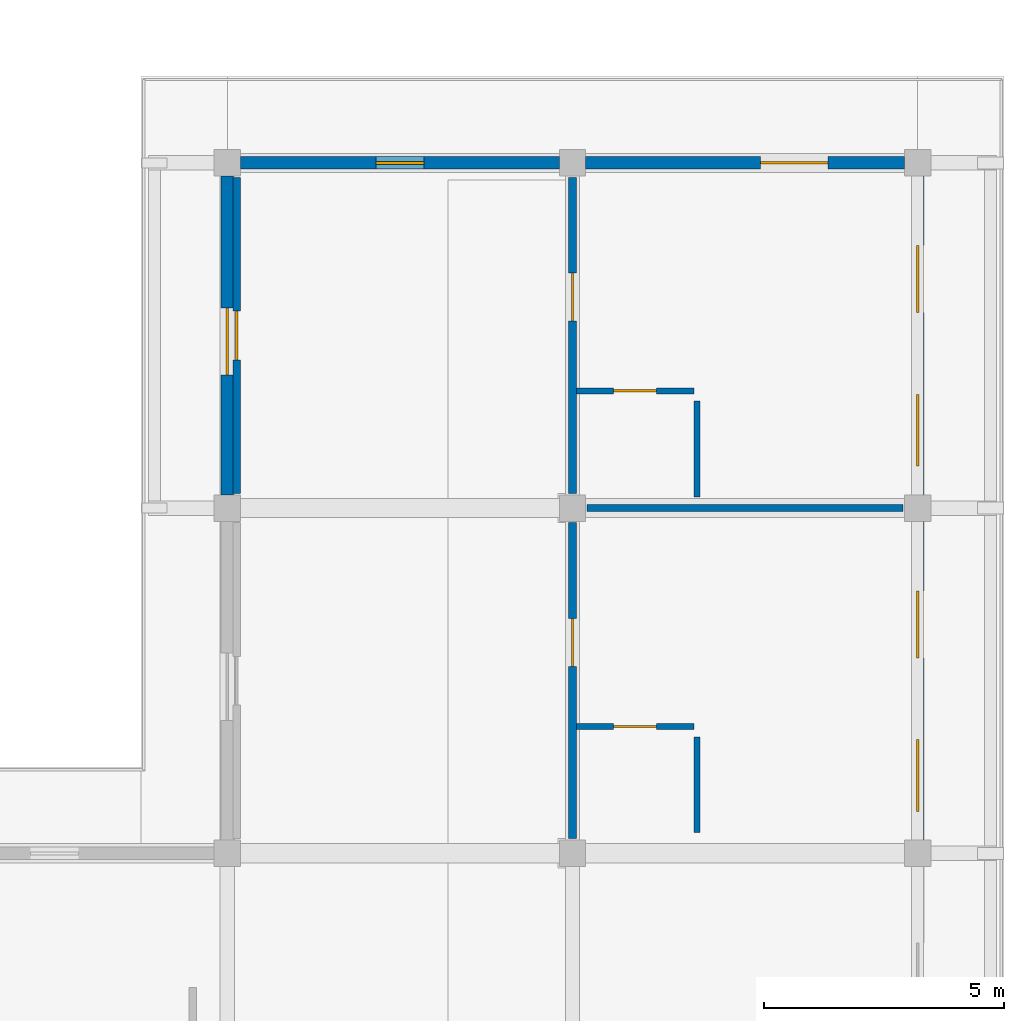
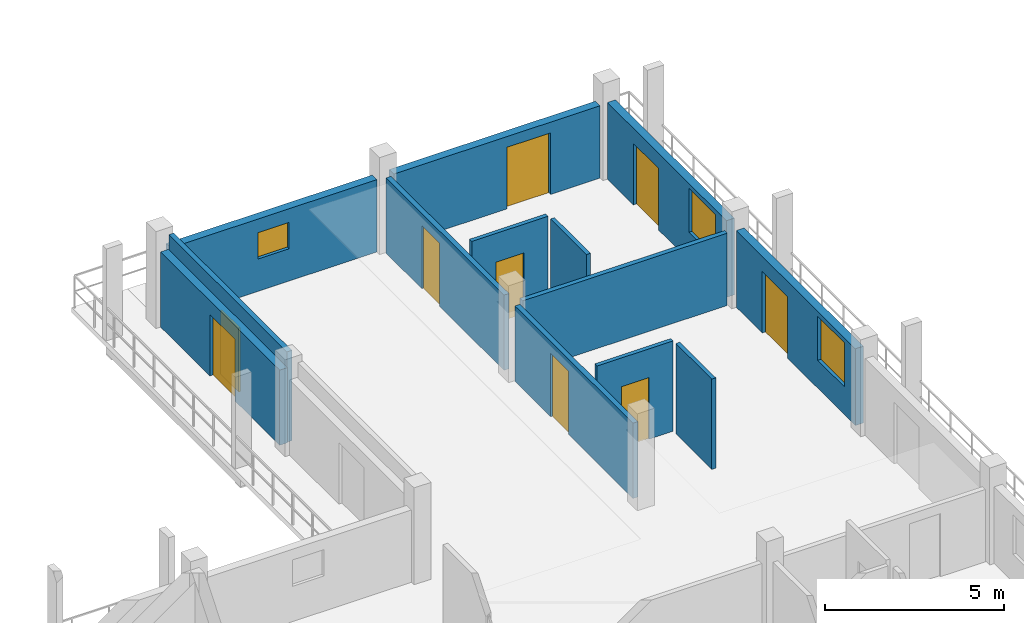
# One storey, part 43 of 60: 13 walls, 9 doors, 3 windows, 12 openings.
"""IFC4 building model written with IfcOpenShell, lengths in metres."""

from ifc_helpers import new_model, si_unit, direction, frame, frame_2d, origin, place, context, subcontext, project, spatial, rectangle, extrude, material, layer, layer_set, type_object, element, fill, save


model = new_model("IFC4")

# Units and contexts
model_context = context("Model", 3, precision=1e-05, world=origin(), true_north=direction((0.0, 1.0)))
body_context = subcontext(model_context, "Body", "Model", "MODEL_VIEW")
ifc_project = project(units=[si_unit("LENGTHUNIT", "METRE"), si_unit("AREAUNIT", "SQUARE_METRE"), si_unit("VOLUMEUNIT", "CUBIC_METRE"), si_unit("PLANEANGLEUNIT", "RADIAN"), si_unit("MASSUNIT", "GRAM", prefix="KILO")], contexts=[model_context])

# Site, building, storey
site_placement = place(None, origin())
site = spatial("IfcSite", under=ifc_project, at=site_placement, CompositionType="ELEMENT")
building_placement = place(site_placement, origin())
building = spatial("IfcBuilding", under=site, at=building_placement, Name="Suanplinth Sawtooth Commons", CompositionType="ELEMENT")
storey_placement = place(building_placement, frame((0.0, 0.0, 31.5)))
storey = spatial("IfcBuildingStorey", under=building, at=storey_placement, Name="L09", CompositionType="ELEMENT", Elevation=31.5)

# Wall, opening, window
ifc_material_1 = material(Name="Precast concrete C40/50", Category="concrete")
ifc_layer_1 = layer(ifc_material_1, 0.260009765625, Name="Insulated precast courtyard facade wall 260mm")
ifc_layer_set_1 = layer_set([ifc_layer_1], Name="Precast concrete C40/50")
wall_type_1 = type_object("IfcWallType", Name="W-EX02", PredefinedType="ELEMENTEDWALL", material=ifc_layer_set_1)
wall_1_placement = place(storey_placement, frame((173.074951171875, 28.800048828125, 0.0), z_axis=(0.0, 0.0, 1.0), x_axis=(1.0, 0.0, 0.0)))
wall_1 = element("IfcWall", 1, at=wall_1_placement, inside=storey, type_object=wall_type_1, Name="Facade Wall W-L09-C-N-24-3", PredefinedType="ELEMENTEDWALL", context=body_context, shape_type="SweptSolid", body=[
    extrude(rectangle(XDim=6.650146484375, YDim=0.260009765625, at=frame_2d((3.3251953125, 0.0))), origin(), (0.0, 0.0, 1.0), 2.465087890625),
])
opening_1_placement = place(wall_1_placement, frame((2.824951171875, 0.0, 1.10009765625)))
opening_1 = element("IfcOpeningElement", 2, at=opening_1_placement, cuts=wall_1, Name="Opening W0812", PredefinedType="OPENING", context=body_context, shape_type="SweptSolid", body=[
    extrude(rectangle(XDim=1.0, YDim=0.89990234375, at=frame_2d((0.5, 0.449951171875))), frame((0.0, 0.14501953125, 0.0), z_axis=(0.0, -1.0, 0.0), x_axis=(1.0, 0.0, 0.0)), (0.0, 0.0, 1.0), 0.289794921875),
])
ifc_material_2 = material(Name="Thermally broken aluminium and low-E double glazing", Category="aluminium")
window_type_1 = type_object("IfcWindowType", Name="WN-12", PartitioningType="SINGLE_PANEL", PredefinedType="WINDOW", material=ifc_material_2)
window_1_placement = place(opening_1_placement, origin())
window_1 = element("IfcWindow", 3, at=window_1_placement, inside=storey, type_object=window_type_1, Name="End Window L09-C-N-24-3", OverallHeight=0.89990234375, OverallWidth=1.0, PartitioningType="SINGLE_PANEL", PredefinedType="WINDOW", context=body_context, shape_type="SweptSolid", body=[
    extrude(rectangle(XDim=1.0, YDim=0.89990234375, at=frame_2d((0.5, 0.449951171875))), frame((0.0, 0.030029296875, 0.0), z_axis=(0.0, -1.0, 0.0), x_axis=(1.0, 0.0, 0.0)), (0.0, 0.0, 1.0), 0.06005859375),
])
fill(opening_1, window_1)

# Wall, opening, door
wall_2_placement = place(storey_placement, frame((172.800048828125, 21.875, 0.0), z_axis=(0.0, 0.0, 1.0), x_axis=(0.0, 1.0, 0.0)))
wall_2 = element("IfcWall", 4, at=wall_2_placement, inside=storey, type_object=wall_type_1, Name="Facade Wall W-L09-C-W-24-3", PredefinedType="ELEMENTEDWALL", context=body_context, shape_type="SweptSolid", body=[
    extrude(rectangle(XDim=6.64990234375, YDim=0.260009765625, at=frame_2d((3.324951171875, 0.0))), origin(), (0.0, 0.0, 1.0), 2.56494140625),
])
opening_2_placement = place(wall_2_placement, frame((2.5, 0.0, 0.0)))
opening_2 = element("IfcOpeningElement", 5, at=opening_2_placement, cuts=wall_2, Name="Opening ED0728", PredefinedType="OPENING", context=body_context, shape_type="SweptSolid", body=[
    extrude(rectangle(XDim=1.39990234375, YDim=2.10009765625, at=frame_2d((0.699951171875, 1.050048828125))), frame((0.0, 0.14501953125, 0.0), z_axis=(0.0, -1.0, 0.0), x_axis=(1.0, 0.0, 0.0)), (0.0, 0.0, 1.0), 0.289794921875),
])
ifc_material_3 = material(Name="Anodized aluminium and low-E glass", Category="aluminium")
door_type_1 = type_object("IfcDoorType", Name="SD-07", OperationType="SLIDING_TO_RIGHT", PredefinedType="DOOR", material=ifc_material_3)
door_1_placement = place(opening_2_placement, frame((1.39990234375, 0.0, 0.0), z_axis=(0.0, 0.0, 1.0), x_axis=(-1.0, 0.0, 0.0)))
door_1 = element("IfcDoor", 6, at=door_1_placement, inside=storey, type_object=door_type_1, Name="Courtyard Veranda Studio Balcony Door L09-C-3", OperationType="SLIDING_TO_RIGHT", OverallHeight=2.10009765625, OverallWidth=1.39990234375, PredefinedType="DOOR", context=body_context, shape_type="SweptSolid", body=[
    extrude(rectangle(XDim=1.39990234375, YDim=2.10009765625, at=frame_2d((0.699951171875, 1.050048828125))), frame((0.0, 0.02490234375, 0.0), z_axis=(0.0, -1.0, 0.0), x_axis=(1.0, 0.0, 0.0)), (0.0, 0.0, 1.0), 0.050048828125),
])
fill(opening_2, door_1)

# Wall, openings, door, window
wall_3_placement = place(storey_placement, frame((187.199951171875, 14.675048828125, 0.0), z_axis=(0.0, 0.0, 1.0), x_axis=(0.0, 1.0, 0.0)))
wall_3 = element("IfcWall", 7, at=wall_3_placement, inside=storey, type_object=wall_type_1, Name="Facade Wall W-L09-C-E-25-2", PredefinedType="ELEMENTEDWALL", context=body_context, shape_type="SweptSolid", body=[
    extrude(rectangle(XDim=6.64990234375, YDim=0.260009765625, at=frame_2d((3.324951171875, 0.0))), origin(), (0.0, 0.0, 1.0), 2.614990234375),
])
opening_3_placement = place(wall_3_placement, frame((3.800048828125, 0.0, 0.0)))
opening_3 = element("IfcOpeningElement", 8, at=opening_3_placement, cuts=wall_3, Name="Opening ED0732", PredefinedType="OPENING", context=body_context, shape_type="SweptSolid", body=[
    extrude(rectangle(XDim=1.39990234375, YDim=2.10009765625, at=frame_2d((0.699951171875, 1.050048828125))), frame((0.0, 0.14501953125, 0.0), z_axis=(0.0, -1.0, 0.0), x_axis=(1.0, 0.0, 0.0)), (0.0, 0.0, 1.0), 0.289794921875),
])
opening_4_placement = place(wall_3_placement, frame((0.60009765625, 0.0, 0.949951171875)))
opening_4 = element("IfcOpeningElement", 9, at=opening_4_placement, cuts=wall_3, Name="Opening W0815", PredefinedType="OPENING", context=body_context, shape_type="SweptSolid", body=[
    extrude(rectangle(XDim=1.5, YDim=1.5, at=frame_2d((0.75, 0.75))), frame((0.0, 0.14501953125, 0.0), z_axis=(0.0, -1.0, 0.0), x_axis=(1.0, 0.0, 0.0)), (0.0, 0.0, 1.0), 0.289794921875),
])
door_2_placement = place(opening_3_placement, frame((1.39990234375, 0.0, 0.0), z_axis=(0.0, 0.0, 1.0), x_axis=(-1.0, 0.0, 0.0)))
door_2 = element("IfcDoor", 10, at=door_2_placement, inside=storey, type_object=door_type_1, Name="Wing Balcony Sliding Door L09-C-2", OperationType="SLIDING_TO_RIGHT", OverallHeight=2.10009765625, OverallWidth=1.39990234375, PredefinedType="DOOR", context=body_context, shape_type="SweptSolid", body=[
    extrude(rectangle(XDim=1.39990234375, YDim=2.10009765625, at=frame_2d((0.699951171875, 1.050048828125))), frame((0.0, 0.02490234375, 0.0), z_axis=(0.0, -1.0, 0.0), x_axis=(1.0, 0.0, 0.0)), (0.0, 0.0, 1.0), 0.050048828125),
])
fill(opening_3, door_2)
window_type_2 = type_object("IfcWindowType", Name="WN-02", PartitioningType="DOUBLE_PANEL_VERTICAL", PredefinedType="WINDOW", material=ifc_material_2)
window_2_placement = place(opening_4_placement, origin())
window_2 = element("IfcWindow", 11, at=window_2_placement, inside=storey, type_object=window_type_2, Name="Wing Window L09-C-2", OverallHeight=1.5, OverallWidth=1.5, PartitioningType="DOUBLE_PANEL_VERTICAL", PredefinedType="WINDOW", context=body_context, shape_type="SweptSolid", body=[
    extrude(rectangle(XDim=1.5, YDim=1.5, at=frame_2d((0.75, 0.75))), frame((0.0, 0.030029296875, 0.0), z_axis=(0.0, -1.0, 0.0), x_axis=(1.0, 0.0, 0.0)), (0.0, 0.0, 1.0), 0.06005859375),
])
fill(opening_4, window_2)

# Wall, opening, door
wall_4_placement = place(storey_placement, frame((180.27490234375, 28.800048828125, 0.0), z_axis=(0.0, 0.0, 1.0), x_axis=(1.0, 0.0, 0.0)))
wall_4 = element("IfcWall", 12, at=wall_4_placement, inside=storey, type_object=wall_type_1, Name="Facade Wall W-L09-C-N-25-3", PredefinedType="ELEMENTEDWALL", context=body_context, shape_type="SweptSolid", body=[
    extrude(rectangle(XDim=6.650146484375, YDim=0.260009765625, at=frame_2d((3.3251953125, 0.0))), origin(), (0.0, 0.0, 1.0), 2.465087890625),
])
opening_5_placement = place(wall_4_placement, frame((3.64990234375, 0.0, 0.0)))
opening_5 = element("IfcOpeningElement", 13, at=opening_5_placement, cuts=wall_4, Name="Opening ED0733", PredefinedType="OPENING", context=body_context, shape_type="SweptSolid", body=[
    extrude(rectangle(XDim=1.39990234375, YDim=2.10009765625, at=frame_2d((0.699951171875, 1.050048828125))), frame((0.0, 0.14501953125, 0.0), z_axis=(0.0, -1.0, 0.0), x_axis=(1.0, 0.0, 0.0)), (0.0, 0.0, 1.0), 0.289794921875),
])
door_3_placement = place(opening_5_placement, frame((1.39990234375, 0.0, 0.0), z_axis=(0.0, 0.0, 1.0), x_axis=(-1.0, 0.0, 0.0)))
door_3 = element("IfcDoor", 14, at=door_3_placement, inside=storey, type_object=door_type_1, Name="End Balcony Sliding Door L09-C-N-25-3", OperationType="SLIDING_TO_RIGHT", OverallHeight=2.10009765625, OverallWidth=1.39990234375, PredefinedType="DOOR", context=body_context, shape_type="SweptSolid", body=[
    extrude(rectangle(XDim=1.39990234375, YDim=2.10009765625, at=frame_2d((0.699951171875, 1.050048828125))), frame((0.0, 0.02490234375, 0.0), z_axis=(0.0, -1.0, 0.0), x_axis=(1.0, 0.0, 0.0)), (0.0, 0.0, 1.0), 0.050048828125),
])
fill(opening_5, door_3)

# Wall, openings, door, window
wall_5_placement = place(storey_placement, frame((187.199951171875, 21.875, 0.0), z_axis=(0.0, 0.0, 1.0), x_axis=(0.0, 1.0, 0.0)))
wall_5 = element("IfcWall", 15, at=wall_5_placement, inside=storey, type_object=wall_type_1, Name="Facade Wall W-L09-C-E-25-3", PredefinedType="ELEMENTEDWALL", context=body_context, shape_type="SweptSolid", body=[
    extrude(rectangle(XDim=6.64990234375, YDim=0.260009765625, at=frame_2d((3.324951171875, 0.0))), origin(), (0.0, 0.0, 1.0), 2.614990234375),
])
opening_6_placement = place(wall_5_placement, frame((3.800048828125, 0.0, 0.0)))
opening_6 = element("IfcOpeningElement", 16, at=opening_6_placement, cuts=wall_5, Name="Opening ED0734", PredefinedType="OPENING", context=body_context, shape_type="SweptSolid", body=[
    extrude(rectangle(XDim=1.39990234375, YDim=2.10009765625, at=frame_2d((0.699951171875, 1.050048828125))), frame((0.0, 0.14501953125, 0.0), z_axis=(0.0, -1.0, 0.0), x_axis=(1.0, 0.0, 0.0)), (0.0, 0.0, 1.0), 0.289794921875),
])
opening_7_placement = place(wall_5_placement, frame((0.60009765625, 0.0, 0.949951171875)))
opening_7 = element("IfcOpeningElement", 17, at=opening_7_placement, cuts=wall_5, Name="Opening W0816", PredefinedType="OPENING", context=body_context, shape_type="SweptSolid", body=[
    extrude(rectangle(XDim=1.5, YDim=1.5, at=frame_2d((0.75, 0.75))), frame((0.0, 0.14501953125, 0.0), z_axis=(0.0, -1.0, 0.0), x_axis=(1.0, 0.0, 0.0)), (0.0, 0.0, 1.0), 0.289794921875),
])
door_4_placement = place(opening_6_placement, frame((1.39990234375, 0.0, 0.0), z_axis=(0.0, 0.0, 1.0), x_axis=(-1.0, 0.0, 0.0)))
door_4 = element("IfcDoor", 18, at=door_4_placement, inside=storey, type_object=door_type_1, Name="Wing Balcony Sliding Door L09-C-3", OperationType="SLIDING_TO_RIGHT", OverallHeight=2.10009765625, OverallWidth=1.39990234375, PredefinedType="DOOR", context=body_context, shape_type="SweptSolid", body=[
    extrude(rectangle(XDim=1.39990234375, YDim=2.10009765625, at=frame_2d((0.699951171875, 1.050048828125))), frame((0.0, 0.02490234375, 0.0), z_axis=(0.0, -1.0, 0.0), x_axis=(1.0, 0.0, 0.0)), (0.0, 0.0, 1.0), 0.050048828125),
])
fill(opening_6, door_4)
window_3_placement = place(opening_7_placement, origin())
window_3 = element("IfcWindow", 19, at=window_3_placement, inside=storey, type_object=window_type_2, Name="Wing Window L09-C-3", OverallHeight=1.5, OverallWidth=1.5, PartitioningType="DOUBLE_PANEL_VERTICAL", PredefinedType="WINDOW", context=body_context, shape_type="SweptSolid", body=[
    extrude(rectangle(XDim=1.5, YDim=1.5, at=frame_2d((0.75, 0.75))), frame((0.0, 0.030029296875, 0.0), z_axis=(0.0, -1.0, 0.0), x_axis=(1.0, 0.0, 0.0)), (0.0, 0.0, 1.0), 0.06005859375),
])
fill(opening_7, window_3)

# Wall, opening, door
ifc_layer_2 = layer(ifc_material_1, 0.159912109375, Name="Fire-rated corridor and lobby wall 160mm")
ifc_layer_set_2 = layer_set([ifc_layer_2], Name="Precast concrete C40/50")
wall_type_2 = type_object("IfcWallType", Name="W-FW01", PredefinedType="PARTITIONING", material=ifc_layer_set_2)
wall_6_placement = place(storey_placement, frame((180.0, 14.705078125, 0.0), z_axis=(0.0, 0.0, 1.0), x_axis=(0.0, 1.0, 0.0)))
wall_6 = element("IfcWall", 20, at=wall_6_placement, inside=storey, type_object=wall_type_2, Name="W-C-L09-L01-COR", PredefinedType="PARTITIONING", context=body_context, shape_type="SweptSolid", body=[
    extrude(rectangle(XDim=6.58984375, YDim=0.159912109375, at=frame_2d((3.294921875, 0.0))), origin(), (0.0, 0.0, 1.0), 2.56494140625),
])
opening_8_placement = place(wall_6_placement, frame((3.594970703125, 0.0, 0.0)))
opening_8 = element("IfcOpeningElement", 21, at=opening_8_placement, cuts=wall_6, Name="Opening FD1840", PredefinedType="OPENING", context=body_context, shape_type="SweptSolid", body=[
    extrude(rectangle(XDim=1.0, YDim=2.14990234375, at=frame_2d((0.5, 1.074951171875))), frame((0.0, 0.0947265625, 0.0), z_axis=(0.0, -1.0, 0.0), x_axis=(1.0, 0.0, 0.0)), (0.0, 0.0, 1.0), 0.189697265625),
])
ifc_material_4 = material(Name="Teak hardwood fire-rated door assembly", Category="wood")
door_type_2 = type_object("IfcDoorType", Name="FD-03", OperationType="NOTDEFINED", PredefinedType="DOOR", material=ifc_material_4)
door_5_placement = place(opening_8_placement, frame((1.0, 0.0, 0.0), z_axis=(0.0, 0.0, 1.0), x_axis=(-1.0, 0.0, 0.0)))
door_5 = element("IfcDoor", 22, at=door_5_placement, inside=storey, type_object=door_type_2, Name="Wing Unit Entrance Door FD1840", OperationType="SINGLE_SWING_RIGHT", OverallHeight=2.14990234375, OverallWidth=1.0, PredefinedType="DOOR", context=body_context, shape_type="SweptSolid", body=[
    extrude(rectangle(XDim=1.0, YDim=2.14990234375, at=frame_2d((0.5, 1.074951171875))), frame((0.0, 0.02490234375, 0.0), z_axis=(0.0, -1.0, 0.0), x_axis=(1.0, 0.0, 0.0)), (0.0, 0.0, 1.0), 0.050048828125),
])
fill(opening_8, door_5)

wall_7_placement = place(storey_placement, frame((180.0, 21.905029296875, 0.0), z_axis=(0.0, 0.0, 1.0), x_axis=(0.0, 1.0, 0.0)))
wall_7 = element("IfcWall", 23, at=wall_7_placement, inside=storey, type_object=wall_type_2, Name="W-C-L09-L02-COR", PredefinedType="PARTITIONING", context=body_context, shape_type="SweptSolid", body=[
    extrude(rectangle(XDim=6.590087890625, YDim=0.159912109375, at=frame_2d((3.294921875, 0.0))), origin(), (0.0, 0.0, 1.0), 2.56494140625),
])
opening_9_placement = place(wall_7_placement, frame((3.594970703125, 0.0, 0.0)))
opening_9 = element("IfcOpeningElement", 24, at=opening_9_placement, cuts=wall_7, Name="Opening FD1843", PredefinedType="OPENING", context=body_context, shape_type="SweptSolid", body=[
    extrude(rectangle(XDim=1.0, YDim=2.14990234375, at=frame_2d((0.5, 1.074951171875))), frame((0.0, 0.0947265625, 0.0), z_axis=(0.0, -1.0, 0.0), x_axis=(1.0, 0.0, 0.0)), (0.0, 0.0, 1.0), 0.189697265625),
])
door_6_placement = place(opening_9_placement, frame((1.0, 0.0, 0.0), z_axis=(0.0, 0.0, 1.0), x_axis=(-1.0, 0.0, 0.0)))
door_6 = element("IfcDoor", 25, at=door_6_placement, inside=storey, type_object=door_type_2, Name="Wing Unit Entrance Door FD1843", OperationType="SINGLE_SWING_LEFT", OverallHeight=2.14990234375, OverallWidth=1.0, PredefinedType="DOOR", context=body_context, shape_type="SweptSolid", body=[
    extrude(rectangle(XDim=1.0, YDim=2.14990234375, at=frame_2d((0.5, 1.074951171875))), frame((0.0, 0.02490234375, 0.0), z_axis=(0.0, -1.0, 0.0), x_axis=(1.0, 0.0, 0.0)), (0.0, 0.0, 1.0), 0.050048828125),
])
fill(opening_9, door_6)

wall_8_placement = place(storey_placement, frame((173.0, 21.905029296875, 0.0), z_axis=(0.0, 0.0, 1.0), x_axis=(0.0, 1.0, 0.0)))
wall_8 = element("IfcWall", 26, at=wall_8_placement, inside=storey, type_object=wall_type_2, Name="W-C-L09-LEGCOURTROOM-35-COR", PredefinedType="PARTITIONING", context=body_context, shape_type="SweptSolid", body=[
    extrude(rectangle(XDim=6.590087890625, YDim=0.159912109375, at=frame_2d((3.294921875, 0.0))), origin(), (0.0, 0.0, 1.0), 3.080078125),
])
opening_10_placement = place(wall_8_placement, frame((2.784912109375, 0.0, 0.0)))
opening_10 = element("IfcOpeningElement", 27, at=opening_10_placement, cuts=wall_8, Name="Opening D1845", PredefinedType="OPENING", context=body_context, shape_type="SweptSolid", body=[
    extrude(rectangle(XDim=1.02001953125, YDim=2.179931640625, at=frame_2d((0.510009765625, 1.08984375))), frame((0.0, 0.0947265625, 0.0), z_axis=(0.0, -1.0, 0.0), x_axis=(1.0, 0.0, 0.0)), (0.0, 0.0, 1.0), 0.189697265625),
])
ifc_material_5 = material(Name="Teak hardwood", Category="wood")
door_type_3 = type_object("IfcDoorType", Name="D-16", OperationType="NOTDEFINED", PredefinedType="DOOR", material=ifc_material_5)
door_7_placement = place(opening_10_placement, origin())
door_7 = element("IfcDoor", 28, at=door_7_placement, inside=storey, type_object=door_type_3, Name="Veranda Studio Door D1845", OperationType="SINGLE_SWING_LEFT", OverallHeight=2.179931640625, OverallWidth=1.02001953125, PredefinedType="DOOR", context=body_context, shape_type="SweptSolid", body=[
    extrude(rectangle(XDim=1.02001953125, YDim=2.179931640625, at=frame_2d((0.510009765625, 1.08984375))), frame((0.0, 0.02490234375, 0.0), z_axis=(0.0, -1.0, 0.0), x_axis=(1.0, 0.0, 0.0)), (0.0, 0.0, 1.0), 0.050048828125),
])
fill(opening_10, door_7)

# Wall
ifc_layer_3 = layer(ifc_material_1, 0.14990234375, Name="Acoustic precast party demising wall 150mm")
ifc_layer_set_3 = layer_set([ifc_layer_3], Name="Precast concrete C40/50")
wall_type_3 = type_object("IfcWallType", Name="W-FW02", PredefinedType="PARTITIONING", material=ifc_layer_set_3)
wall_9_placement = place(storey_placement, frame((180.304931640625, 21.60009765625, 0.0), z_axis=(0.0, 0.0, 1.0), x_axis=(1.0, 0.0, 0.0)))
element("IfcWall", 29, at=wall_9_placement, inside=storey, type_object=wall_type_3, Name="W-C-L09-L01-PTY", PredefinedType="PARTITIONING", context=body_context, shape_type="SweptSolid", body=[
    extrude(rectangle(XDim=6.590087890625, YDim=0.14990234375, at=frame_2d((3.294921875, 0.0))), origin(), (0.0, 0.0, 1.0), 2.465087890625),
])

# Wall, opening, door
ifc_material_6 = material(Name="Gypsum plasterboard on steel stud", Category="steel")
ifc_layer_4 = layer(ifc_material_6, 0.1298828125, Name="Moisture-resistant bathroom partition 130mm")
ifc_layer_set_4 = layer_set([ifc_layer_4], Name="Gypsum plasterboard on steel stud")
wall_type_4 = type_object("IfcWallType", Name="W-PT02", PredefinedType="PARTITIONING", material=ifc_layer_set_4)
wall_10_placement = place(storey_placement, frame((180.080078125, 17.044921875, 0.0), z_axis=(0.0, 0.0, 1.0), x_axis=(1.0, 0.0, 0.0)))
wall_10 = element("IfcWall", 30, at=wall_10_placement, inside=storey, type_object=wall_type_4, Name="W-C-L09-L01-BTH1", PredefinedType="PARTITIONING", context=body_context, shape_type="SweptSolid", body=[
    extrude(rectangle(XDim=2.449951171875, YDim=0.1298828125, at=frame_2d((1.22509765625, 0.0))), origin(), (0.0, 0.0, 1.0), 3.080078125),
])
opening_11_placement = place(wall_10_placement, frame((0.77490234375, 0.0, 0.0)))
opening_11 = element("IfcOpeningElement", 31, at=opening_11_placement, cuts=wall_10, Name="Opening D1841", PredefinedType="OPENING", context=body_context, shape_type="SweptSolid", body=[
    extrude(rectangle(XDim=0.89990234375, YDim=2.10009765625, at=frame_2d((0.449951171875, 1.050048828125))), frame((0.0, 0.079833984375, 0.0), z_axis=(0.0, -1.0, 0.0), x_axis=(1.0, 0.0, 0.0)), (0.0, 0.0, 1.0), 0.15966796875),
])
door_type_4 = type_object("IfcDoorType", Name="D-01", OperationType="NOTDEFINED", PredefinedType="DOOR", material=ifc_material_5)
door_8_placement = place(opening_11_placement, frame((0.89990234375, 0.0, 0.0), z_axis=(0.0, 0.0, 1.0), x_axis=(-1.0, 0.0, 0.0)))
door_8 = element("IfcDoor", 32, at=door_8_placement, inside=storey, type_object=door_type_4, Name="Bathroom Door D1841", OperationType="SINGLE_SWING_LEFT", OverallHeight=2.10009765625, OverallWidth=0.89990234375, PredefinedType="DOOR", context=body_context, shape_type="SweptSolid", body=[
    extrude(rectangle(XDim=0.89990234375, YDim=2.10009765625, at=frame_2d((0.449951171875, 1.050048828125))), frame((0.0, 0.02490234375, 0.0), z_axis=(0.0, -1.0, 0.0), x_axis=(1.0, 0.0, 0.0)), (0.0, 0.0, 1.0), 0.050048828125),
])
fill(opening_11, door_8)

# Wall
wall_11_placement = place(storey_placement, frame((182.594970703125, 14.830078125, 0.0), z_axis=(0.0, 0.0, 1.0), x_axis=(0.0, 1.0, 0.0)))
element("IfcWall", 33, at=wall_11_placement, inside=storey, type_object=wall_type_4, Name="W-C-L09-L01-BTH2", PredefinedType="PARTITIONING", context=body_context, shape_type="SweptSolid", body=[
    extrude(rectangle(XDim=2.0, YDim=0.1298828125, at=frame_2d((1.0, 0.0))), origin(), (0.0, 0.0, 1.0), 3.080078125),
])

# Wall, opening, door
wall_12_placement = place(storey_placement, frame((180.080078125, 24.044921875, 0.0), z_axis=(0.0, 0.0, 1.0), x_axis=(1.0, 0.0, 0.0)))
wall_12 = element("IfcWall", 34, at=wall_12_placement, inside=storey, type_object=wall_type_4, Name="W-C-L09-L02-BTH1", PredefinedType="PARTITIONING", context=body_context, shape_type="SweptSolid", body=[
    extrude(rectangle(XDim=2.449951171875, YDim=0.1298828125, at=frame_2d((1.22509765625, 0.0))), origin(), (0.0, 0.0, 1.0), 3.080078125),
])
opening_12_placement = place(wall_12_placement, frame((0.77490234375, 0.0, 0.0)))
opening_12 = element("IfcOpeningElement", 35, at=opening_12_placement, cuts=wall_12, Name="Opening D1844", PredefinedType="OPENING", context=body_context, shape_type="SweptSolid", body=[
    extrude(rectangle(XDim=0.89990234375, YDim=2.10009765625, at=frame_2d((0.449951171875, 1.050048828125))), frame((0.0, 0.079833984375, 0.0), z_axis=(0.0, -1.0, 0.0), x_axis=(1.0, 0.0, 0.0)), (0.0, 0.0, 1.0), 0.15966796875),
])
door_9_placement = place(opening_12_placement, frame((0.89990234375, 0.0, 0.0), z_axis=(0.0, 0.0, 1.0), x_axis=(-1.0, 0.0, 0.0)))
door_9 = element("IfcDoor", 36, at=door_9_placement, inside=storey, type_object=door_type_4, Name="Bathroom Door D1844", OperationType="SINGLE_SWING_RIGHT", OverallHeight=2.10009765625, OverallWidth=0.89990234375, PredefinedType="DOOR", context=body_context, shape_type="SweptSolid", body=[
    extrude(rectangle(XDim=0.89990234375, YDim=2.10009765625, at=frame_2d((0.449951171875, 1.050048828125))), frame((0.0, 0.02490234375, 0.0), z_axis=(0.0, -1.0, 0.0), x_axis=(1.0, 0.0, 0.0)), (0.0, 0.0, 1.0), 0.050048828125),
])
fill(opening_12, door_9)

# Wall
wall_13_placement = place(storey_placement, frame((182.594970703125, 21.830078125, 0.0), z_axis=(0.0, 0.0, 1.0), x_axis=(0.0, 1.0, 0.0)))
element("IfcWall", 37, at=wall_13_placement, inside=storey, type_object=wall_type_4, Name="W-C-L09-L02-BTH2", PredefinedType="PARTITIONING", context=body_context, shape_type="SweptSolid", body=[
    extrude(rectangle(XDim=2.0, YDim=0.1298828125, at=frame_2d((1.0, 0.0))), origin(), (0.0, 0.0, 1.0), 3.080078125),
])

save(model, "model.ifc")
